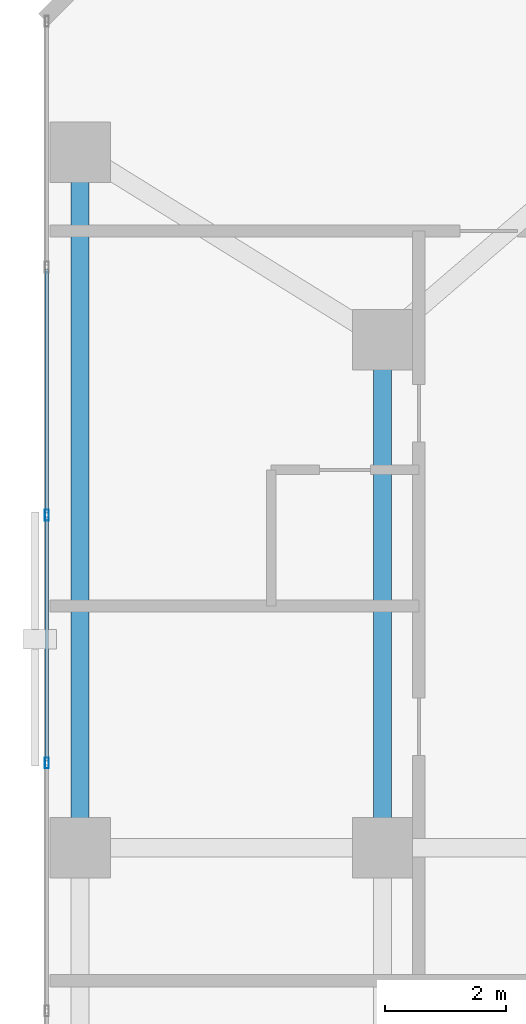
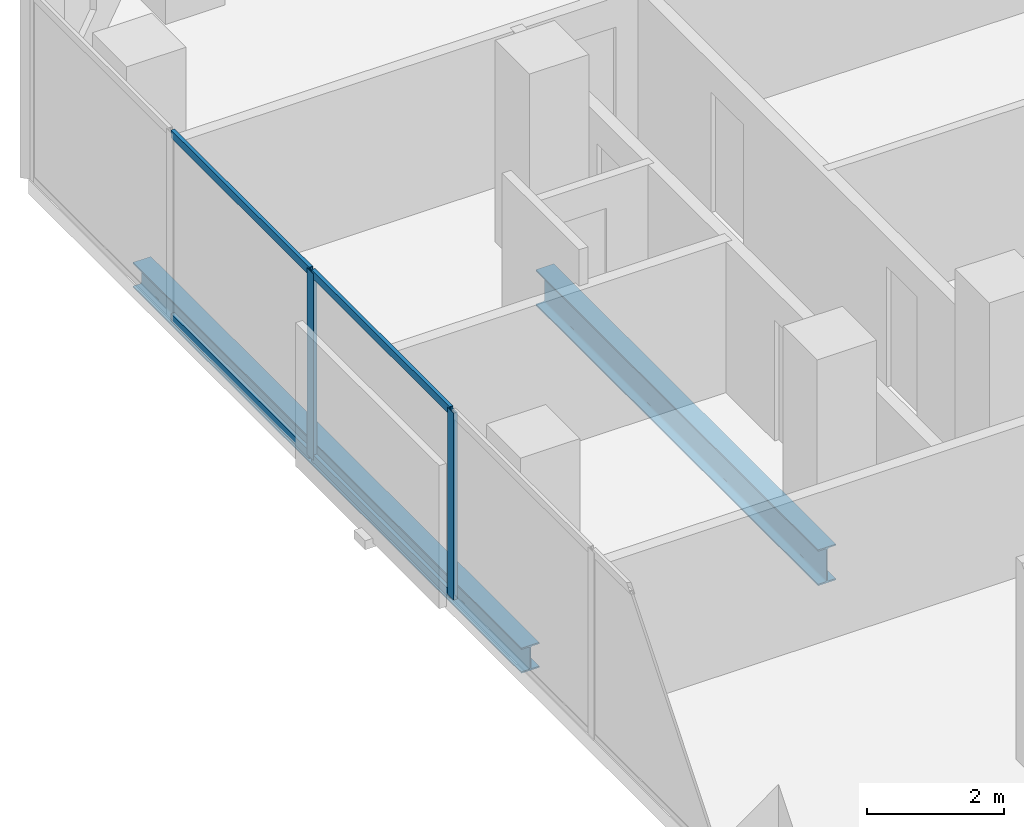
# One storey, part 16 of 32: 6 members, 2 beams, 1 element without a shape of its own.
"""IFC4 building model written with IfcOpenShell, lengths in metres."""

from ifc_helpers import new_model, si_unit, direction, frame, origin, origin_2d, place, context, subcontext, project, spatial, hollow_rectangle, i_section, extrude, material, layer, layer_set, material_profile, profile_set, type_object, element, aggregate, save


model = new_model("IFC4")

# Units and contexts
model_context = context("Model", 3, precision=1e-05, world=origin(), true_north=direction((0.0, 1.0)))
body_context = subcontext(model_context, "Body", "Model", "MODEL_VIEW")
ifc_project = project(units=[si_unit("LENGTHUNIT", "METRE"), si_unit("AREAUNIT", "SQUARE_METRE"), si_unit("VOLUMEUNIT", "CUBIC_METRE"), si_unit("PLANEANGLEUNIT", "RADIAN"), si_unit("MASSUNIT", "GRAM", prefix="KILO")], contexts=[model_context])

# Site, building, storey
site_placement = place(None, origin())
site = spatial("IfcSite", under=ifc_project, at=site_placement, CompositionType="ELEMENT")
building_placement = place(site_placement, origin())
building = spatial("IfcBuilding", under=site, at=building_placement, Name="Catumbela Crestline Tower", CompositionType="ELEMENT")
storey_placement = place(building_placement, frame((0.0, 0.0, 33.0)))
storey = spatial("IfcBuildingStorey", under=building, at=storey_placement, Name="L07", CompositionType="ELEMENT", Elevation=33.0)

# Beam
ifc_material_1 = material(Name="Structural steel S355J2", Category="steel")
ifc_material_profile_1 = material_profile(ifc_material_1, i_section(OverallWidth=0.3, OverallDepth=0.64, WebThickness=0.0135, FlangeThickness=0.026, FilletRadius=0.027, at=origin_2d()), Name="HEA 650")
ifc_profile_set_1 = profile_set([ifc_material_profile_1], Name="Structural steel S355J2")
beam_type_1 = type_object("IfcBeamType", Name="BG-HEA650", PredefinedType="BEAM", material=ifc_profile_set_1)
beam_1_placement = place(storey_placement, frame((5.6, 30.88, -0.58), z_axis=(0.0, 1.0, 0.0), x_axis=(-1.0, 0.0, 0.0)))
element("IfcBeam", 1, at=beam_1_placement, inside=storey, type_object=beam_type_1, Name="L07 Beam BM-L07-SN28", PredefinedType="BEAM", context=body_context, shape_type="SweptSolid", body=[
    extrude(i_section(OverallWidth=0.3, OverallDepth=0.64, WebThickness=0.0135, FlangeThickness=0.026, FilletRadius=0.027, at=origin_2d()), origin(), (0.0, 0.0, 1.0), 8.24),
])

# Curtain wall, members
ifc_material_2 = material(Name="Aluminium alloy AW-6060-T66", Category="aluminium")
ifc_layer = layer(ifc_material_2, 0.18, Name="Aluminium alloy AW-6060-T66")
ifc_layer_set = layer_set([ifc_layer], Name="Aluminium alloy AW-6060-T66")
curtain_wall_type = type_object("IfcCurtainWallType", Name="CWU-Z1", PredefinedType="USERDEFINED", material=ifc_layer_set)
curtain_wall_placement = place(storey_placement, origin())
curtain_wall = element("IfcCurtainWall", 2, at=curtain_wall_placement, inside=storey, type_object=curtain_wall_type, Name="L07 Unitised Curtain Wall CW-L07-E9S1", ObjectType="UNITISED", PredefinedType="USERDEFINED")
ifc_material_profile_2 = material_profile(ifc_material_2, hollow_rectangle(XDim=0.065, YDim=0.18, WallThickness=0.004, at=origin_2d()), Name="ALU 180x65x4")
ifc_profile_set_2 = profile_set([ifc_material_profile_2], Name="Aluminium alloy AW-6060-T66")
member_type_1 = type_object("IfcMemberType", Name="MUL-180X65", PredefinedType="MULLION", material=ifc_profile_set_2)
member_1_placement = place(storey_placement, frame((0.05, 36.3, 0.0), z_axis=(0.0, 0.0, 1.0), x_axis=(1.0, 0.0, 0.0)))
member_1 = element("IfcMember", 3, at=member_1_placement, type_object=member_type_1, Name="CWU-Z1 mullion 3", PredefinedType="MULLION", context=body_context, shape_type="SweptSolid", body=[
    extrude(hollow_rectangle(XDim=0.065, YDim=0.18, WallThickness=0.004, at=origin_2d()), origin(), (0.0, 0.0, 1.0), 3.33),
])
member_2_placement = place(storey_placement, frame((0.05, 32.2, 0.0), z_axis=(0.0, 0.0, 1.0), x_axis=(1.0, 0.0, 0.0)))
member_2 = element("IfcMember", 4, at=member_2_placement, type_object=member_type_1, Name="CWU-Z1 mullion 4", PredefinedType="MULLION", context=body_context, shape_type="SweptSolid", body=[
    extrude(hollow_rectangle(XDim=0.065, YDim=0.18, WallThickness=0.004, at=origin_2d()), origin(), (0.0, 0.0, 1.0), 3.33),
])

# Beam
ifc_material_profile_3 = material_profile(ifc_material_1, i_section(OverallWidth=0.3, OverallDepth=0.45, WebThickness=0.014, FlangeThickness=0.026, FilletRadius=0.027, at=origin_2d()), Name="HEB 450")
ifc_profile_set_3 = profile_set([ifc_material_profile_3], Name="Structural steel S355J2")
beam_type_2 = type_object("IfcBeamType", Name="BS-HEB450", PredefinedType="SPANDREL", material=ifc_profile_set_3)
beam_2_placement = place(storey_placement, frame((0.6, 30.88, -0.485), z_axis=(0.0, 1.0, 0.0), x_axis=(-1.0, 0.0, 0.0)))
element("IfcBeam", 5, at=beam_2_placement, inside=storey, type_object=beam_type_2, Name="L07 Spandrel SP-L07-SN26", PredefinedType="SPANDREL", context=body_context, shape_type="SweptSolid", body=[
    extrude(i_section(OverallWidth=0.3, OverallDepth=0.45, WebThickness=0.014, FlangeThickness=0.026, FilletRadius=0.027, at=origin_2d()), origin(), (0.0, 0.0, 1.0), 11.34),
])

# Member
ifc_material_profile_4 = material_profile(ifc_material_2, hollow_rectangle(XDim=0.06, YDim=0.14, WallThickness=0.004, at=origin_2d()), Name="ALU 140x60x4")
ifc_profile_set_4 = profile_set([ifc_material_profile_4], Name="Aluminium alloy AW-6060-T66")
member_type_2 = type_object("IfcMemberType", Name="TRN-140X60", PredefinedType="USERDEFINED", material=ifc_profile_set_4)
member_3_placement = place(storey_placement, frame((0.05, 40.3675, 0.03), z_axis=(0.0, -1.0, 0.0), x_axis=(1.0, 0.0, 0.0)))
member_3 = element("IfcMember", 6, at=member_3_placement, type_object=member_type_2, Name="CWU-Z1 transom 2.1", ObjectType="TRANSOM", PredefinedType="USERDEFINED", context=body_context, shape_type="SweptSolid", body=[
    extrude(hollow_rectangle(XDim=0.06, YDim=0.14, WallThickness=0.004, at=origin_2d()), origin(), (0.0, 0.0, 1.0), 4.035),
])

member_4_placement = place(storey_placement, frame((0.05, 40.3675, 3.3), z_axis=(0.0, -1.0, 0.0), x_axis=(1.0, 0.0, 0.0)))
member_4 = element("IfcMember", 7, at=member_4_placement, type_object=member_type_2, Name="CWU-Z1 transom 2.2", ObjectType="TRANSOM", PredefinedType="USERDEFINED", context=body_context, shape_type="SweptSolid", body=[
    extrude(hollow_rectangle(XDim=0.06, YDim=0.14, WallThickness=0.004, at=origin_2d()), origin(), (0.0, 0.0, 1.0), 4.035),
])

member_5_placement = place(storey_placement, frame((0.05, 36.2675, 0.03), z_axis=(0.0, -1.0, 0.0), x_axis=(1.0, 0.0, 0.0)))
member_5 = element("IfcMember", 8, at=member_5_placement, type_object=member_type_2, Name="CWU-Z1 transom 3.1", ObjectType="TRANSOM", PredefinedType="USERDEFINED", context=body_context, shape_type="SweptSolid", body=[
    extrude(hollow_rectangle(XDim=0.06, YDim=0.14, WallThickness=0.004, at=origin_2d()), origin(), (0.0, 0.0, 1.0), 4.035),
])

member_6_placement = place(storey_placement, frame((0.05, 36.2675, 3.3), z_axis=(0.0, -1.0, 0.0), x_axis=(1.0, 0.0, 0.0)))
member_6 = element("IfcMember", 9, at=member_6_placement, type_object=member_type_2, Name="CWU-Z1 transom 3.2", ObjectType="TRANSOM", PredefinedType="USERDEFINED", context=body_context, shape_type="SweptSolid", body=[
    extrude(hollow_rectangle(XDim=0.06, YDim=0.14, WallThickness=0.004, at=origin_2d()), origin(), (0.0, 0.0, 1.0), 4.035),
])

aggregate(curtain_wall, [member_1, member_2, member_3, member_4, member_5, member_6])

save(model, "model.ifc")
